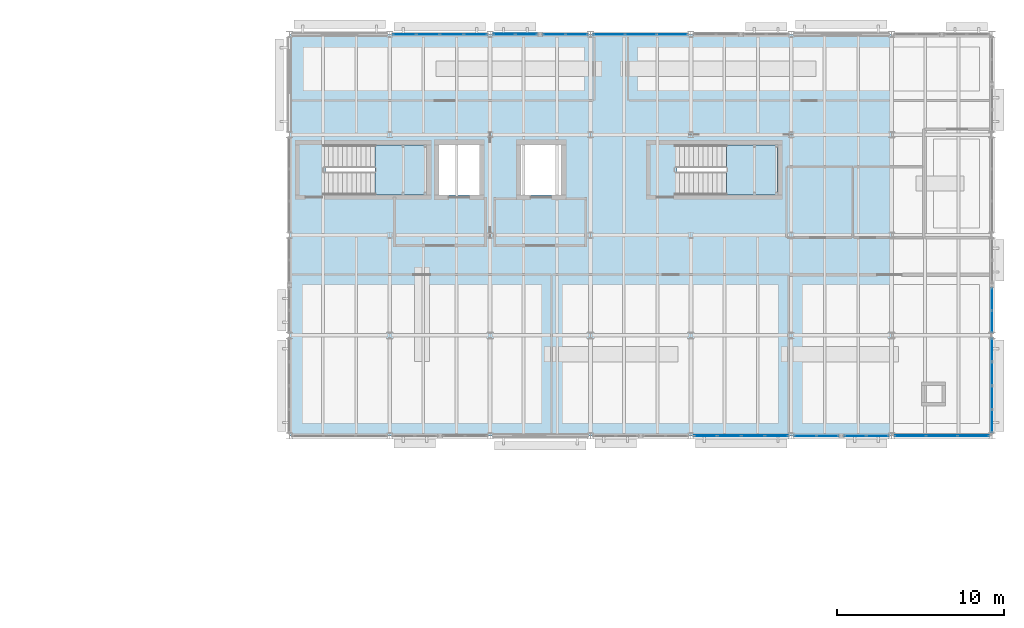
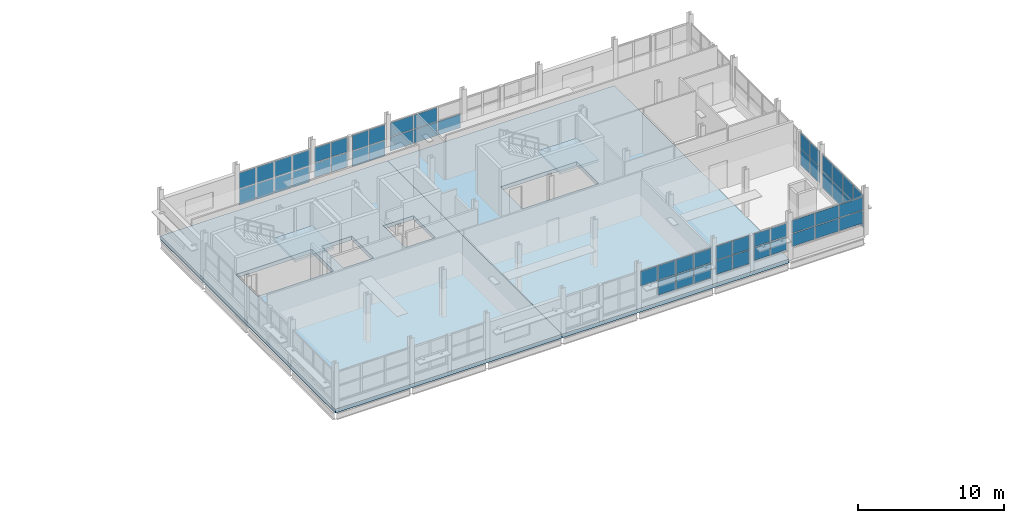
# One storey, part 50 of 92: 54 plates, 4 slabs, 12 elements without a shape of their own.
"""IFC4 building model written with IfcOpenShell, lengths in metres."""

from ifc_helpers import new_model, si_unit, direction, frame, origin, origin_2d, place, context, subcontext, project, spatial, polyline, rectangle, outline, extrude, material, layer, layer_set, type_object, element, aggregate, save


model = new_model("IFC4")

# Units and contexts
model_context = context("Model", 3, precision=1e-05, world=origin(), true_north=direction((0.0, 1.0)))
body_context = subcontext(model_context, "Body", "Model", "MODEL_VIEW")
ifc_project = project(units=[si_unit("LENGTHUNIT", "METRE"), si_unit("AREAUNIT", "SQUARE_METRE"), si_unit("VOLUMEUNIT", "CUBIC_METRE"), si_unit("PLANEANGLEUNIT", "RADIAN"), si_unit("MASSUNIT", "GRAM", prefix="KILO")], contexts=[model_context])

# Site, building, storey
site_placement = place(None, origin())
site = spatial("IfcSite", under=ifc_project, at=site_placement, CompositionType="ELEMENT")
building_placement = place(site_placement, origin())
building = spatial("IfcBuilding", under=site, at=building_placement, Name="Siltcreek Boulevard Central Fire Station", CompositionType="ELEMENT")
storey_placement = place(building_placement, frame((0.0, 0.0, 6.0)))
storey = spatial("IfcBuildingStorey", under=building, at=storey_placement, Name="L02", CompositionType="ELEMENT", Elevation=6.0)

# Curtain wall, plates
ifc_material_1 = material(Name="Anodized aluminum and low-E insulated glazing", Category="aluminium")
curtain_wall_type_1 = type_object("IfcCurtainWallType", Name="CW_SYS_10", PredefinedType="USERDEFINED", material=ifc_material_1)
curtain_wall_1_placement = place(storey_placement, origin())
curtain_wall_1 = element("IfcCurtainWall", 1, at=curtain_wall_1_placement, inside=storey, type_object=curtain_wall_type_1, Name="L02 V5 unitised curtain wall CW-129", ObjectType="CURTAIN WALL", PredefinedType="USERDEFINED")
ifc_material_2 = material(Name="Low-E double insulated glass unit", Category="glass")
ifc_layer_1 = layer(ifc_material_2, 0.028076171875, Name="Low-E double insulated glass unit")
ifc_layer_set_1 = layer_set([ifc_layer_1], Name="Low-E double insulated glass unit")
plate_type_1 = type_object("IfcPlateType", Name="CWP_GLZ_1", PredefinedType="CURTAIN_PANEL", material=ifc_layer_set_1)
plate_1_placement = place(storey_placement, frame((155.038818359375, 88.199951171875, 0.739990234375), z_axis=(0.0, 0.0, 1.0), x_axis=(1.0, 0.0, 0.0)))
plate_1 = element("IfcPlate", 2, at=plate_1_placement, type_object=plate_type_1, Name="CW-129 panel 1.1", PredefinedType="CURTAIN_PANEL", context=body_context, shape_type="SweptSolid", body=[
    extrude(rectangle(XDim=1.267578125, YDim=0.028076171875, at=origin_2d()), origin(), (0.0, 0.0, 1.0), 1.146484375),
])
plate_2_placement = place(storey_placement, frame((155.038818359375, 88.199951171875, 1.946533203125), z_axis=(0.0, 0.0, 1.0), x_axis=(1.0, 0.0, 0.0)))
plate_2 = element("IfcPlate", 3, at=plate_2_placement, type_object=plate_type_1, Name="CW-129 panel 1.2", PredefinedType="CURTAIN_PANEL", context=body_context, shape_type="SweptSolid", body=[
    extrude(rectangle(XDim=1.267578125, YDim=0.028076171875, at=origin_2d()), origin(), (0.0, 0.0, 1.0), 1.146484375),
])
plate_3_placement = place(storey_placement, frame((156.3662109375, 88.199951171875, 0.739990234375), z_axis=(0.0, 0.0, 1.0), x_axis=(1.0, 0.0, 0.0)))
plate_3 = element("IfcPlate", 4, at=plate_3_placement, type_object=plate_type_1, Name="CW-129 panel 2.1", PredefinedType="CURTAIN_PANEL", context=body_context, shape_type="SweptSolid", body=[
    extrude(rectangle(XDim=1.267578125, YDim=0.028076171875, at=origin_2d()), origin(), (0.0, 0.0, 1.0), 1.146484375),
])
plate_4_placement = place(storey_placement, frame((156.3662109375, 88.199951171875, 1.946533203125), z_axis=(0.0, 0.0, 1.0), x_axis=(1.0, 0.0, 0.0)))
plate_4 = element("IfcPlate", 5, at=plate_4_placement, type_object=plate_type_1, Name="CW-129 panel 2.2", PredefinedType="CURTAIN_PANEL", context=body_context, shape_type="SweptSolid", body=[
    extrude(rectangle(XDim=1.267578125, YDim=0.028076171875, at=origin_2d()), origin(), (0.0, 0.0, 1.0), 1.146484375),
])
aggregate(curtain_wall_1, [plate_1, plate_2, plate_3, plate_4])

curtain_wall_type_2 = type_object("IfcCurtainWallType", Name="CW_SYS_13", PredefinedType="USERDEFINED", material=ifc_material_1)
curtain_wall_2_placement = place(storey_placement, origin())
curtain_wall_2 = element("IfcCurtainWall", 6, at=curtain_wall_2_placement, inside=storey, type_object=curtain_wall_type_2, Name="L02 V5 unitised curtain wall CW-132", ObjectType="CURTAIN WALL", PredefinedType="USERDEFINED")
plate_5_placement = place(storey_placement, frame((135.324951171875, 112.199951171875, 0.384765625), z_axis=(0.0, 0.0, 1.0), x_axis=(-1.0, 0.0, 0.0)))
plate_5 = element("IfcPlate", 7, at=plate_5_placement, type_object=plate_type_1, Name="CW-132 panel 1.1", PredefinedType="CURTAIN_PANEL", context=body_context, shape_type="SweptSolid", body=[
    extrude(rectangle(XDim=1.330078125, YDim=0.028076171875, at=origin_2d()), origin(), (0.0, 0.0, 1.0), 1.319091796875),
])
plate_6_placement = place(storey_placement, frame((135.324951171875, 112.199951171875, 1.76904296875), z_axis=(0.0, 0.0, 1.0), x_axis=(-1.0, 0.0, 0.0)))
plate_6 = element("IfcPlate", 8, at=plate_6_placement, type_object=plate_type_1, Name="CW-132 panel 1.2", PredefinedType="CURTAIN_PANEL", context=body_context, shape_type="SweptSolid", body=[
    extrude(rectangle(XDim=1.330078125, YDim=0.028076171875, at=origin_2d()), origin(), (0.0, 0.0, 1.0), 1.319091796875),
])
plate_7_placement = place(storey_placement, frame((133.913818359375, 112.199951171875, 0.384765625), z_axis=(0.0, 0.0, 1.0), x_axis=(-1.0, 0.0, 0.0)))
plate_7 = element("IfcPlate", 9, at=plate_7_placement, type_object=plate_type_1, Name="CW-132 panel 2.1", PredefinedType="CURTAIN_PANEL", context=body_context, shape_type="SweptSolid", body=[
    extrude(rectangle(XDim=1.362548828125, YDim=0.028076171875, at=origin_2d()), origin(), (0.0, 0.0, 1.0), 1.319091796875),
])
plate_8_placement = place(storey_placement, frame((133.913818359375, 112.199951171875, 1.76904296875), z_axis=(0.0, 0.0, 1.0), x_axis=(-1.0, 0.0, 0.0)))
plate_8 = element("IfcPlate", 10, at=plate_8_placement, type_object=plate_type_1, Name="CW-132 panel 2.2", PredefinedType="CURTAIN_PANEL", context=body_context, shape_type="SweptSolid", body=[
    extrude(rectangle(XDim=1.362548828125, YDim=0.028076171875, at=origin_2d()), origin(), (0.0, 0.0, 1.0), 1.319091796875),
])
plate_9_placement = place(storey_placement, frame((132.486328125, 112.199951171875, 0.384765625), z_axis=(0.0, 0.0, 1.0), x_axis=(-1.0, 0.0, 0.0)))
plate_9 = element("IfcPlate", 11, at=plate_9_placement, type_object=plate_type_1, Name="CW-132 panel 3.1", PredefinedType="CURTAIN_PANEL", context=body_context, shape_type="SweptSolid", body=[
    extrude(rectangle(XDim=1.362548828125, YDim=0.028076171875, at=origin_2d()), origin(), (0.0, 0.0, 1.0), 1.319091796875),
])
plate_10_placement = place(storey_placement, frame((132.486328125, 112.199951171875, 1.76904296875), z_axis=(0.0, 0.0, 1.0), x_axis=(-1.0, 0.0, 0.0)))
plate_10 = element("IfcPlate", 12, at=plate_10_placement, type_object=plate_type_1, Name="CW-132 panel 3.2", PredefinedType="CURTAIN_PANEL", context=body_context, shape_type="SweptSolid", body=[
    extrude(rectangle(XDim=1.362548828125, YDim=0.028076171875, at=origin_2d()), origin(), (0.0, 0.0, 1.0), 1.319091796875),
])
plate_11_placement = place(storey_placement, frame((131.074951171875, 112.199951171875, 0.384765625), z_axis=(0.0, 0.0, 1.0), x_axis=(-1.0, 0.0, 0.0)))
plate_11 = element("IfcPlate", 13, at=plate_11_placement, type_object=plate_type_1, Name="CW-132 panel 4.1", PredefinedType="CURTAIN_PANEL", context=body_context, shape_type="SweptSolid", body=[
    extrude(rectangle(XDim=1.330078125, YDim=0.028076171875, at=origin_2d()), origin(), (0.0, 0.0, 1.0), 1.319091796875),
])
plate_12_placement = place(storey_placement, frame((131.074951171875, 112.199951171875, 1.76904296875), z_axis=(0.0, 0.0, 1.0), x_axis=(-1.0, 0.0, 0.0)))
plate_12 = element("IfcPlate", 14, at=plate_12_placement, type_object=plate_type_1, Name="CW-132 panel 4.2", PredefinedType="CURTAIN_PANEL", context=body_context, shape_type="SweptSolid", body=[
    extrude(rectangle(XDim=1.330078125, YDim=0.028076171875, at=origin_2d()), origin(), (0.0, 0.0, 1.0), 1.319091796875),
])
aggregate(curtain_wall_2, [plate_5, plate_6, plate_7, plate_8, plate_9, plate_10, plate_11, plate_12])

curtain_wall_type_3 = type_object("IfcCurtainWallType", Name="CW_SYS_16", PredefinedType="USERDEFINED", material=ifc_material_1)
curtain_wall_3_placement = place(storey_placement, origin())
curtain_wall_3 = element("IfcCurtainWall", 15, at=curtain_wall_3_placement, inside=storey, type_object=curtain_wall_type_3, Name="L02 V5 unitised curtain wall CW-135", ObjectType="CURTAIN WALL", PredefinedType="USERDEFINED")
plate_13_placement = place(storey_placement, frame((147.08837890625, 112.199951171875, 0.739990234375), z_axis=(0.0, 0.0, 1.0), x_axis=(-1.0, 0.0, 0.0)))
plate_13 = element("IfcPlate", 16, at=plate_13_placement, type_object=plate_type_1, Name="CW-135 panel 1.1", PredefinedType="CURTAIN_PANEL", context=body_context, shape_type="SweptSolid", body=[
    extrude(rectangle(XDim=1.813232421875, YDim=0.028076171875, at=origin_2d()), origin(), (0.0, 0.0, 1.0), 1.146484375),
])
plate_14_placement = place(storey_placement, frame((145.199951171875, 112.199951171875, 0.739990234375), z_axis=(0.0, 0.0, 1.0), x_axis=(-1.0, 0.0, 0.0)))
plate_14 = element("IfcPlate", 17, at=plate_14_placement, type_object=plate_type_1, Name="CW-135 panel 2.1", PredefinedType="CURTAIN_PANEL", context=body_context, shape_type="SweptSolid", body=[
    extrude(rectangle(XDim=1.84326171875, YDim=0.028076171875, at=origin_2d()), origin(), (0.0, 0.0, 1.0), 1.146484375),
])
plate_15_placement = place(storey_placement, frame((145.199951171875, 112.199951171875, 1.946533203125), z_axis=(0.0, 0.0, 1.0), x_axis=(-1.0, 0.0, 0.0)))
plate_15 = element("IfcPlate", 18, at=plate_15_placement, type_object=plate_type_1, Name="CW-135 panel 2.2", PredefinedType="CURTAIN_PANEL", context=body_context, shape_type="SweptSolid", body=[
    extrude(rectangle(XDim=1.84326171875, YDim=0.028076171875, at=origin_2d()), origin(), (0.0, 0.0, 1.0), 1.146484375),
])
plate_16_placement = place(storey_placement, frame((143.311767578125, 112.199951171875, 0.739990234375), z_axis=(0.0, 0.0, 1.0), x_axis=(-1.0, 0.0, 0.0)))
plate_16 = element("IfcPlate", 19, at=plate_16_placement, type_object=plate_type_1, Name="CW-135 panel 3.1", PredefinedType="CURTAIN_PANEL", context=body_context, shape_type="SweptSolid", body=[
    extrude(rectangle(XDim=1.813232421875, YDim=0.028076171875, at=origin_2d()), origin(), (0.0, 0.0, 1.0), 1.146484375),
])
plate_17_placement = place(storey_placement, frame((143.311767578125, 112.199951171875, 1.946533203125), z_axis=(0.0, 0.0, 1.0), x_axis=(-1.0, 0.0, 0.0)))
plate_17 = element("IfcPlate", 20, at=plate_17_placement, type_object=plate_type_1, Name="CW-135 panel 3.2", PredefinedType="CURTAIN_PANEL", context=body_context, shape_type="SweptSolid", body=[
    extrude(rectangle(XDim=1.813232421875, YDim=0.028076171875, at=origin_2d()), origin(), (0.0, 0.0, 1.0), 1.146484375),
])
aggregate(curtain_wall_3, [plate_13, plate_14, plate_15, plate_16, plate_17])

curtain_wall_type_4 = type_object("IfcCurtainWallType", Name="CW_SYS_25", PredefinedType="USERDEFINED", material=ifc_material_1)
curtain_wall_4_placement = place(storey_placement, origin())
curtain_wall_4 = element("IfcCurtainWall", 21, at=curtain_wall_4_placement, inside=storey, type_object=curtain_wall_type_4, Name="L02 V5 unitised curtain wall CW-144", ObjectType="CURTAIN WALL", PredefinedType="USERDEFINED")
plate_18_placement = place(storey_placement, frame((166.199951171875, 89.074951171875, 0.385009765625), z_axis=(0.0, 0.0, 1.0), x_axis=(0.0, 1.0, 0.0)))
plate_18 = element("IfcPlate", 22, at=plate_18_placement, type_object=plate_type_1, Name="CW-144 panel 1.1", PredefinedType="CURTAIN_PANEL", context=body_context, shape_type="SweptSolid", body=[
    extrude(rectangle(XDim=1.330078125, YDim=0.028076171875, at=origin_2d()), origin(), (0.0, 0.0, 1.0), 1.35595703125),
])
plate_19_placement = place(storey_placement, frame((166.199951171875, 89.074951171875, 1.805908203125), z_axis=(0.0, 0.0, 1.0), x_axis=(0.0, 1.0, 0.0)))
plate_19 = element("IfcPlate", 23, at=plate_19_placement, type_object=plate_type_1, Name="CW-144 panel 1.2", PredefinedType="CURTAIN_PANEL", context=body_context, shape_type="SweptSolid", body=[
    extrude(rectangle(XDim=1.330078125, YDim=0.028076171875, at=origin_2d()), origin(), (0.0, 0.0, 1.0), 1.35595703125),
])
plate_20_placement = place(storey_placement, frame((166.199951171875, 90.486328125, 0.385009765625), z_axis=(0.0, 0.0, 1.0), x_axis=(0.0, 1.0, 0.0)))
plate_20 = element("IfcPlate", 24, at=plate_20_placement, type_object=plate_type_1, Name="CW-144 panel 2.1", PredefinedType="CURTAIN_PANEL", context=body_context, shape_type="SweptSolid", body=[
    extrude(rectangle(XDim=1.362548828125, YDim=0.028076171875, at=origin_2d()), origin(), (0.0, 0.0, 1.0), 1.35595703125),
])
plate_21_placement = place(storey_placement, frame((166.199951171875, 90.486328125, 1.805908203125), z_axis=(0.0, 0.0, 1.0), x_axis=(0.0, 1.0, 0.0)))
plate_21 = element("IfcPlate", 25, at=plate_21_placement, type_object=plate_type_1, Name="CW-144 panel 2.2", PredefinedType="CURTAIN_PANEL", context=body_context, shape_type="SweptSolid", body=[
    extrude(rectangle(XDim=1.362548828125, YDim=0.028076171875, at=origin_2d()), origin(), (0.0, 0.0, 1.0), 1.35595703125),
])
plate_22_placement = place(storey_placement, frame((166.199951171875, 91.913818359375, 0.385009765625), z_axis=(0.0, 0.0, 1.0), x_axis=(0.0, 1.0, 0.0)))
plate_22 = element("IfcPlate", 26, at=plate_22_placement, type_object=plate_type_1, Name="CW-144 panel 3.1", PredefinedType="CURTAIN_PANEL", context=body_context, shape_type="SweptSolid", body=[
    extrude(rectangle(XDim=1.362548828125, YDim=0.028076171875, at=origin_2d()), origin(), (0.0, 0.0, 1.0), 1.35595703125),
])
plate_23_placement = place(storey_placement, frame((166.199951171875, 91.913818359375, 1.805908203125), z_axis=(0.0, 0.0, 1.0), x_axis=(0.0, 1.0, 0.0)))
plate_23 = element("IfcPlate", 27, at=plate_23_placement, type_object=plate_type_1, Name="CW-144 panel 3.2", PredefinedType="CURTAIN_PANEL", context=body_context, shape_type="SweptSolid", body=[
    extrude(rectangle(XDim=1.362548828125, YDim=0.028076171875, at=origin_2d()), origin(), (0.0, 0.0, 1.0), 1.35595703125),
])
plate_24_placement = place(storey_placement, frame((166.199951171875, 93.324951171875, 0.385009765625), z_axis=(0.0, 0.0, 1.0), x_axis=(0.0, 1.0, 0.0)))
plate_24 = element("IfcPlate", 28, at=plate_24_placement, type_object=plate_type_1, Name="CW-144 panel 4.1", PredefinedType="CURTAIN_PANEL", context=body_context, shape_type="SweptSolid", body=[
    extrude(rectangle(XDim=1.330078125, YDim=0.028076171875, at=origin_2d()), origin(), (0.0, 0.0, 1.0), 1.35595703125),
])
plate_25_placement = place(storey_placement, frame((166.199951171875, 93.324951171875, 1.805908203125), z_axis=(0.0, 0.0, 1.0), x_axis=(0.0, 1.0, 0.0)))
plate_25 = element("IfcPlate", 29, at=plate_25_placement, type_object=plate_type_1, Name="CW-144 panel 4.2", PredefinedType="CURTAIN_PANEL", context=body_context, shape_type="SweptSolid", body=[
    extrude(rectangle(XDim=1.330078125, YDim=0.028076171875, at=origin_2d()), origin(), (0.0, 0.0, 1.0), 1.35595703125),
])
aggregate(curtain_wall_4, [plate_18, plate_19, plate_20, plate_21, plate_22, plate_23, plate_24, plate_25])

curtain_wall_type_5 = type_object("IfcCurtainWallType", Name="CW_SYS_11", PredefinedType="USERDEFINED", material=ifc_material_1)
curtain_wall_5_placement = place(storey_placement, origin())
curtain_wall_5 = element("IfcCurtainWall", 30, at=curtain_wall_5_placement, inside=storey, type_object=curtain_wall_type_5, Name="L02 V5 unitised curtain wall CW-130", ObjectType="CURTAIN WALL", PredefinedType="USERDEFINED")
ifc_layer_2 = layer(ifc_material_2, 0.0380859375, Name="Low-E double insulated glass unit")
ifc_layer_set_2 = layer_set([ifc_layer_2], Name="Low-E double insulated glass unit")
plate_type_2 = type_object("IfcPlateType", Name="CWP_GLZ_2", PredefinedType="CURTAIN_PANEL", material=ifc_layer_set_2)
plate_26_placement = place(storey_placement, frame((158.034912109375, 88.199951171875, 0.864990234375), z_axis=(0.0, 0.0, 1.0), x_axis=(1.0, 0.0, 0.0)))
plate_26 = element("IfcPlate", 31, at=plate_26_placement, type_object=plate_type_2, Name="CW-130 panel 1.1", PredefinedType="CURTAIN_PANEL", context=body_context, shape_type="SweptSolid", body=[
    extrude(rectangle(XDim=1.260009765625, YDim=0.0380859375, at=origin_2d()), origin(), (0.0, 0.0, 1.0), 1.0791015625),
])
plate_27_placement = place(storey_placement, frame((158.034912109375, 88.199951171875, 2.009033203125), z_axis=(0.0, 0.0, 1.0), x_axis=(1.0, 0.0, 0.0)))
plate_27 = element("IfcPlate", 32, at=plate_27_placement, type_object=plate_type_2, Name="CW-130 panel 1.2", PredefinedType="CURTAIN_PANEL", context=body_context, shape_type="SweptSolid", body=[
    extrude(rectangle(XDim=1.260009765625, YDim=0.0380859375, at=origin_2d()), origin(), (0.0, 0.0, 1.0), 1.0791015625),
])
plate_28_placement = place(storey_placement, frame((159.360107421875, 88.199951171875, 0.864990234375), z_axis=(0.0, 0.0, 1.0), x_axis=(1.0, 0.0, 0.0)))
plate_28 = element("IfcPlate", 33, at=plate_28_placement, type_object=plate_type_2, Name="CW-130 panel 2.1", PredefinedType="CURTAIN_PANEL", context=body_context, shape_type="SweptSolid", body=[
    extrude(rectangle(XDim=1.260009765625, YDim=0.0380859375, at=origin_2d()), origin(), (0.0, 0.0, 1.0), 1.0791015625),
])
plate_29_placement = place(storey_placement, frame((159.360107421875, 88.199951171875, 2.009033203125), z_axis=(0.0, 0.0, 1.0), x_axis=(1.0, 0.0, 0.0)))
plate_29 = element("IfcPlate", 34, at=plate_29_placement, type_object=plate_type_2, Name="CW-130 panel 2.2", PredefinedType="CURTAIN_PANEL", context=body_context, shape_type="SweptSolid", body=[
    extrude(rectangle(XDim=1.260009765625, YDim=0.0380859375, at=origin_2d()), origin(), (0.0, 0.0, 1.0), 1.0791015625),
])
aggregate(curtain_wall_5, [plate_26, plate_27, plate_28, plate_29])

curtain_wall_type_6 = type_object("IfcCurtainWallType", Name="CW_SYS_14", PredefinedType="USERDEFINED", material=ifc_material_1)
curtain_wall_6_placement = place(storey_placement, origin())
curtain_wall_6 = element("IfcCurtainWall", 35, at=curtain_wall_6_placement, inside=storey, type_object=curtain_wall_type_6, Name="L02 V5 unitised curtain wall CW-133", ObjectType="CURTAIN WALL", PredefinedType="USERDEFINED")
plate_30_placement = place(storey_placement, frame((141.361328125, 112.199951171875, 0.5), z_axis=(0.0, 0.0, 1.0), x_axis=(-1.0, 0.0, 0.0)))
plate_30 = element("IfcPlate", 36, at=plate_30_placement, type_object=plate_type_2, Name="CW-133 panel 1.1", PredefinedType="CURTAIN_PANEL", context=body_context, shape_type="SweptSolid", body=[
    extrude(rectangle(XDim=1.267578125, YDim=0.0380859375, at=origin_2d()), origin(), (0.0, 0.0, 1.0), 1.2666015625),
])
plate_31_placement = place(storey_placement, frame((141.361328125, 112.199951171875, 1.826416015625), z_axis=(0.0, 0.0, 1.0), x_axis=(-1.0, 0.0, 0.0)))
plate_31 = element("IfcPlate", 37, at=plate_31_placement, type_object=plate_type_2, Name="CW-133 panel 1.2", PredefinedType="CURTAIN_PANEL", context=body_context, shape_type="SweptSolid", body=[
    extrude(rectangle(XDim=1.267578125, YDim=0.0380859375, at=origin_2d()), origin(), (0.0, 0.0, 1.0), 1.2666015625),
])
plate_32_placement = place(storey_placement, frame((140.03369140625, 112.199951171875, 0.5), z_axis=(0.0, 0.0, 1.0), x_axis=(-1.0, 0.0, 0.0)))
plate_32 = element("IfcPlate", 38, at=plate_32_placement, type_object=plate_type_2, Name="CW-133 panel 2.1", PredefinedType="CURTAIN_PANEL", context=body_context, shape_type="SweptSolid", body=[
    extrude(rectangle(XDim=1.267578125, YDim=0.0380859375, at=origin_2d()), origin(), (0.0, 0.0, 1.0), 1.2666015625),
])
plate_33_placement = place(storey_placement, frame((140.03369140625, 112.199951171875, 1.826416015625), z_axis=(0.0, 0.0, 1.0), x_axis=(-1.0, 0.0, 0.0)))
plate_33 = element("IfcPlate", 39, at=plate_33_placement, type_object=plate_type_2, Name="CW-133 panel 2.2", PredefinedType="CURTAIN_PANEL", context=body_context, shape_type="SweptSolid", body=[
    extrude(rectangle(XDim=1.267578125, YDim=0.0380859375, at=origin_2d()), origin(), (0.0, 0.0, 1.0), 1.2666015625),
])
aggregate(curtain_wall_6, [plate_30, plate_31, plate_32, plate_33])

curtain_wall_type_7 = type_object("IfcCurtainWallType", Name="CW_SYS_26", PredefinedType="USERDEFINED", material=ifc_material_1)
curtain_wall_7_placement = place(storey_placement, origin())
curtain_wall_7 = element("IfcCurtainWall", 40, at=curtain_wall_7_placement, inside=storey, type_object=curtain_wall_type_7, Name="L02 V5 unitised curtain wall CW-145", ObjectType="CURTAIN WALL", PredefinedType="USERDEFINED")
plate_34_placement = place(storey_placement, frame((166.199951171875, 95.038818359375, 0.5), z_axis=(0.0, 0.0, 1.0), x_axis=(0.0, 1.0, 0.0)))
plate_34 = element("IfcPlate", 41, at=plate_34_placement, type_object=plate_type_2, Name="CW-145 panel 1.1", PredefinedType="CURTAIN_PANEL", context=body_context, shape_type="SweptSolid", body=[
    extrude(rectangle(XDim=1.267578125, YDim=0.0380859375, at=origin_2d()), origin(), (0.0, 0.0, 1.0), 1.303466796875),
])
plate_35_placement = place(storey_placement, frame((166.199951171875, 95.038818359375, 1.86328125), z_axis=(0.0, 0.0, 1.0), x_axis=(0.0, 1.0, 0.0)))
plate_35 = element("IfcPlate", 42, at=plate_35_placement, type_object=plate_type_2, Name="CW-145 panel 1.2", PredefinedType="CURTAIN_PANEL", context=body_context, shape_type="SweptSolid", body=[
    extrude(rectangle(XDim=1.267578125, YDim=0.0380859375, at=origin_2d()), origin(), (0.0, 0.0, 1.0), 1.303466796875),
])
plate_36_placement = place(storey_placement, frame((166.199951171875, 96.3662109375, 0.5), z_axis=(0.0, 0.0, 1.0), x_axis=(0.0, 1.0, 0.0)))
plate_36 = element("IfcPlate", 43, at=plate_36_placement, type_object=plate_type_2, Name="CW-145 panel 2.1", PredefinedType="CURTAIN_PANEL", context=body_context, shape_type="SweptSolid", body=[
    extrude(rectangle(XDim=1.267578125, YDim=0.0380859375, at=origin_2d()), origin(), (0.0, 0.0, 1.0), 1.303466796875),
])
plate_37_placement = place(storey_placement, frame((166.199951171875, 96.3662109375, 1.86328125), z_axis=(0.0, 0.0, 1.0), x_axis=(0.0, 1.0, 0.0)))
plate_37 = element("IfcPlate", 44, at=plate_37_placement, type_object=plate_type_2, Name="CW-145 panel 2.2", PredefinedType="CURTAIN_PANEL", context=body_context, shape_type="SweptSolid", body=[
    extrude(rectangle(XDim=1.267578125, YDim=0.0380859375, at=origin_2d()), origin(), (0.0, 0.0, 1.0), 1.303466796875),
])
aggregate(curtain_wall_7, [plate_34, plate_35, plate_36, plate_37])

curtain_wall_type_8 = type_object("IfcCurtainWallType", Name="CW_SYS_09", PredefinedType="USERDEFINED", material=ifc_material_1)
curtain_wall_8_placement = place(storey_placement, origin())
curtain_wall_8 = element("IfcCurtainWall", 45, at=curtain_wall_8_placement, inside=storey, type_object=curtain_wall_type_8, Name="L02 V5 unitised curtain wall CW-128", ObjectType="CURTAIN WALL", PredefinedType="USERDEFINED")
ifc_layer_3 = layer(ifc_material_2, 0.048095703125, Name="Low-E double insulated glass unit")
ifc_layer_set_3 = layer_set([ifc_layer_3], Name="Low-E double insulated glass unit")
plate_type_3 = type_object("IfcPlateType", Name="CWP_GLZ_3", PredefinedType="CURTAIN_PANEL", material=ifc_layer_set_3)
plate_38_placement = place(storey_placement, frame((149.074951171875, 88.199951171875, 1.88916015625), z_axis=(0.0, 0.0, 1.0), x_axis=(1.0, 0.0, 0.0)))
plate_38 = element("IfcPlate", 46, at=plate_38_placement, type_object=plate_type_3, Name="CW-128 panel 1.2", PredefinedType="CURTAIN_PANEL", context=body_context, shape_type="SweptSolid", body=[
    extrude(rectangle(XDim=1.330078125, YDim=0.048095703125, at=origin_2d()), origin(), (0.0, 0.0, 1.0), 1.198974609375),
])
plate_39_placement = place(storey_placement, frame((150.486328125, 88.199951171875, 0.625), z_axis=(0.0, 0.0, 1.0), x_axis=(1.0, 0.0, 0.0)))
plate_39 = element("IfcPlate", 47, at=plate_39_placement, type_object=plate_type_3, Name="CW-128 panel 2.1", PredefinedType="CURTAIN_PANEL", context=body_context, shape_type="SweptSolid", body=[
    extrude(rectangle(XDim=1.362548828125, YDim=0.048095703125, at=origin_2d()), origin(), (0.0, 0.0, 1.0), 1.198974609375),
])
plate_40_placement = place(storey_placement, frame((150.486328125, 88.199951171875, 1.88916015625), z_axis=(0.0, 0.0, 1.0), x_axis=(1.0, 0.0, 0.0)))
plate_40 = element("IfcPlate", 48, at=plate_40_placement, type_object=plate_type_3, Name="CW-128 panel 2.2", PredefinedType="CURTAIN_PANEL", context=body_context, shape_type="SweptSolid", body=[
    extrude(rectangle(XDim=1.362548828125, YDim=0.048095703125, at=origin_2d()), origin(), (0.0, 0.0, 1.0), 1.198974609375),
])
plate_41_placement = place(storey_placement, frame((151.913818359375, 88.199951171875, 0.625), z_axis=(0.0, 0.0, 1.0), x_axis=(1.0, 0.0, 0.0)))
plate_41 = element("IfcPlate", 49, at=plate_41_placement, type_object=plate_type_3, Name="CW-128 panel 3.1", PredefinedType="CURTAIN_PANEL", context=body_context, shape_type="SweptSolid", body=[
    extrude(rectangle(XDim=1.362548828125, YDim=0.048095703125, at=origin_2d()), origin(), (0.0, 0.0, 1.0), 1.198974609375),
])
plate_42_placement = place(storey_placement, frame((151.913818359375, 88.199951171875, 1.88916015625), z_axis=(0.0, 0.0, 1.0), x_axis=(1.0, 0.0, 0.0)))
plate_42 = element("IfcPlate", 50, at=plate_42_placement, type_object=plate_type_3, Name="CW-128 panel 3.2", PredefinedType="CURTAIN_PANEL", context=body_context, shape_type="SweptSolid", body=[
    extrude(rectangle(XDim=1.362548828125, YDim=0.048095703125, at=origin_2d()), origin(), (0.0, 0.0, 1.0), 1.198974609375),
])
plate_43_placement = place(storey_placement, frame((153.324951171875, 88.199951171875, 0.625), z_axis=(0.0, 0.0, 1.0), x_axis=(1.0, 0.0, 0.0)))
plate_43 = element("IfcPlate", 51, at=plate_43_placement, type_object=plate_type_3, Name="CW-128 panel 4.1", PredefinedType="CURTAIN_PANEL", context=body_context, shape_type="SweptSolid", body=[
    extrude(rectangle(XDim=1.330078125, YDim=0.048095703125, at=origin_2d()), origin(), (0.0, 0.0, 1.0), 1.198974609375),
])
plate_44_placement = place(storey_placement, frame((153.324951171875, 88.199951171875, 1.88916015625), z_axis=(0.0, 0.0, 1.0), x_axis=(1.0, 0.0, 0.0)))
plate_44 = element("IfcPlate", 52, at=plate_44_placement, type_object=plate_type_3, Name="CW-128 panel 4.2", PredefinedType="CURTAIN_PANEL", context=body_context, shape_type="SweptSolid", body=[
    extrude(rectangle(XDim=1.330078125, YDim=0.048095703125, at=origin_2d()), origin(), (0.0, 0.0, 1.0), 1.198974609375),
])
aggregate(curtain_wall_8, [plate_38, plate_39, plate_40, plate_41, plate_42, plate_43, plate_44])

curtain_wall_type_9 = type_object("IfcCurtainWallType", Name="CW_SYS_12", PredefinedType="USERDEFINED", material=ifc_material_1)
curtain_wall_9_placement = place(storey_placement, origin())
curtain_wall_9 = element("IfcCurtainWall", 53, at=curtain_wall_9_placement, inside=storey, type_object=curtain_wall_type_9, Name="L02 V5 unitised curtain wall CW-131", ObjectType="CURTAIN WALL", PredefinedType="USERDEFINED")
plate_45_placement = place(storey_placement, frame((161.311767578125, 88.199951171875, 0.97998046875), z_axis=(0.0, 0.0, 1.0), x_axis=(1.0, 0.0, 0.0)))
plate_45 = element("IfcPlate", 54, at=plate_45_placement, type_object=plate_type_3, Name="CW-131 panel 1.1", PredefinedType="CURTAIN_PANEL", context=body_context, shape_type="SweptSolid", body=[
    extrude(rectangle(XDim=1.813232421875, YDim=0.048095703125, at=origin_2d()), origin(), (0.0, 0.0, 1.0), 1.0615234375),
])
plate_46_placement = place(storey_placement, frame((161.311767578125, 88.199951171875, 2.1015625), z_axis=(0.0, 0.0, 1.0), x_axis=(1.0, 0.0, 0.0)))
plate_46 = element("IfcPlate", 55, at=plate_46_placement, type_object=plate_type_3, Name="CW-131 panel 1.2", PredefinedType="CURTAIN_PANEL", context=body_context, shape_type="SweptSolid", body=[
    extrude(rectangle(XDim=1.813232421875, YDim=0.048095703125, at=origin_2d()), origin(), (0.0, 0.0, 1.0), 1.0615234375),
])
plate_47_placement = place(storey_placement, frame((163.199951171875, 88.199951171875, 0.97998046875), z_axis=(0.0, 0.0, 1.0), x_axis=(1.0, 0.0, 0.0)))
plate_47 = element("IfcPlate", 56, at=plate_47_placement, type_object=plate_type_3, Name="CW-131 panel 2.1", PredefinedType="CURTAIN_PANEL", context=body_context, shape_type="SweptSolid", body=[
    extrude(rectangle(XDim=1.84326171875, YDim=0.048095703125, at=origin_2d()), origin(), (0.0, 0.0, 1.0), 1.0615234375),
])
plate_48_placement = place(storey_placement, frame((163.199951171875, 88.199951171875, 2.1015625), z_axis=(0.0, 0.0, 1.0), x_axis=(1.0, 0.0, 0.0)))
plate_48 = element("IfcPlate", 57, at=plate_48_placement, type_object=plate_type_3, Name="CW-131 panel 2.2", PredefinedType="CURTAIN_PANEL", context=body_context, shape_type="SweptSolid", body=[
    extrude(rectangle(XDim=1.84326171875, YDim=0.048095703125, at=origin_2d()), origin(), (0.0, 0.0, 1.0), 1.0615234375),
])
plate_49_placement = place(storey_placement, frame((165.08837890625, 88.199951171875, 0.97998046875), z_axis=(0.0, 0.0, 1.0), x_axis=(1.0, 0.0, 0.0)))
plate_49 = element("IfcPlate", 58, at=plate_49_placement, type_object=plate_type_3, Name="CW-131 panel 3.1", PredefinedType="CURTAIN_PANEL", context=body_context, shape_type="SweptSolid", body=[
    extrude(rectangle(XDim=1.813232421875, YDim=0.048095703125, at=origin_2d()), origin(), (0.0, 0.0, 1.0), 1.0615234375),
])
plate_50_placement = place(storey_placement, frame((165.08837890625, 88.199951171875, 2.1015625), z_axis=(0.0, 0.0, 1.0), x_axis=(1.0, 0.0, 0.0)))
plate_50 = element("IfcPlate", 59, at=plate_50_placement, type_object=plate_type_3, Name="CW-131 panel 3.2", PredefinedType="CURTAIN_PANEL", context=body_context, shape_type="SweptSolid", body=[
    extrude(rectangle(XDim=1.813232421875, YDim=0.048095703125, at=origin_2d()), origin(), (0.0, 0.0, 1.0), 1.0615234375),
])
aggregate(curtain_wall_9, [plate_45, plate_46, plate_47, plate_48, plate_49, plate_50])

curtain_wall_type_10 = type_object("IfcCurtainWallType", Name="CW_SYS_15", PredefinedType="USERDEFINED", material=ifc_material_1)
curtain_wall_10_placement = place(storey_placement, origin())
curtain_wall_10 = element("IfcCurtainWall", 60, at=curtain_wall_10_placement, inside=storey, type_object=curtain_wall_type_10, Name="L02 V5 unitised curtain wall CW-134", ObjectType="CURTAIN WALL", PredefinedType="USERDEFINED")
plate_51_placement = place(storey_placement, frame((138.364990234375, 112.199951171875, 0.625), z_axis=(0.0, 0.0, 1.0), x_axis=(-1.0, 0.0, 0.0)))
plate_51 = element("IfcPlate", 61, at=plate_51_placement, type_object=plate_type_3, Name="CW-134 panel 1.1", PredefinedType="CURTAIN_PANEL", context=body_context, shape_type="SweptSolid", body=[
    extrude(rectangle(XDim=1.260009765625, YDim=0.048095703125, at=origin_2d()), origin(), (0.0, 0.0, 1.0), 1.198974609375),
])
plate_52_placement = place(storey_placement, frame((138.364990234375, 112.199951171875, 1.88916015625), z_axis=(0.0, 0.0, 1.0), x_axis=(-1.0, 0.0, 0.0)))
plate_52 = element("IfcPlate", 62, at=plate_52_placement, type_object=plate_type_3, Name="CW-134 panel 1.2", PredefinedType="CURTAIN_PANEL", context=body_context, shape_type="SweptSolid", body=[
    extrude(rectangle(XDim=1.260009765625, YDim=0.048095703125, at=origin_2d()), origin(), (0.0, 0.0, 1.0), 1.198974609375),
])
plate_53_placement = place(storey_placement, frame((137.0400390625, 112.199951171875, 0.625), z_axis=(0.0, 0.0, 1.0), x_axis=(-1.0, 0.0, 0.0)))
plate_53 = element("IfcPlate", 63, at=plate_53_placement, type_object=plate_type_3, Name="CW-134 panel 2.1", PredefinedType="CURTAIN_PANEL", context=body_context, shape_type="SweptSolid", body=[
    extrude(rectangle(XDim=1.260009765625, YDim=0.048095703125, at=origin_2d()), origin(), (0.0, 0.0, 1.0), 1.198974609375),
])
plate_54_placement = place(storey_placement, frame((137.0400390625, 112.199951171875, 1.88916015625), z_axis=(0.0, 0.0, 1.0), x_axis=(-1.0, 0.0, 0.0)))
plate_54 = element("IfcPlate", 64, at=plate_54_placement, type_object=plate_type_3, Name="CW-134 panel 2.2", PredefinedType="CURTAIN_PANEL", context=body_context, shape_type="SweptSolid", body=[
    extrude(rectangle(XDim=1.260009765625, YDim=0.048095703125, at=origin_2d()), origin(), (0.0, 0.0, 1.0), 1.198974609375),
])
aggregate(curtain_wall_10, [plate_51, plate_52, plate_53, plate_54])

# Slabs
ifc_material_3 = material(Name="Concrete C35/45", Category="concrete")
ifc_layer_4 = layer(ifc_material_3, 0.320068359375, Name="Concrete C35/45")
ifc_layer_set_4 = layer_set([ifc_layer_4], Name="Concrete C35/45")
slab_type_1 = type_object("IfcSlabType", Name="SL_FLR320", PredefinedType="FLOOR", material=ifc_layer_set_4)
slab_1_placement = place(storey_placement, frame((0.0, 0.0, -0.320068359375)))
element("IfcSlab", 65, at=slab_1_placement, inside=storey, type_object=slab_type_1, Name="L02 V5 structural floor slab SL-028", PredefinedType="FLOOR", context=body_context, shape_type="SweptSolid", body=[
    extrude(outline(polyline([(124.199951171875, 112.199951171875), (142.199951171875, 112.199951171875), (142.199951171875, 88.199951171875), (124.199951171875, 88.199951171875), (124.199951171875, 112.199951171875)]), holes=[polyline([(126.360107421875, 102.60009765625), (132.39990234375, 102.60009765625), (132.39990234375, 105.60009765625), (126.360107421875, 105.60009765625), (126.360107421875, 102.60009765625)]), polyline([(135.550048828125, 102.60009765625), (135.550048828125, 105.60009765625), (133.14990234375, 105.60009765625), (133.14990234375, 102.60009765625), (135.550048828125, 102.60009765625)]), polyline([(138.050048828125, 102.60009765625), (140.449951171875, 102.60009765625), (140.449951171875, 105.60009765625), (138.050048828125, 105.60009765625), (138.050048828125, 102.60009765625)])]), origin(), (0.0, 0.0, 1.0), 0.320068359375),
])
slab_2_placement = place(storey_placement, frame((0.0, 0.0, -0.320068359375)))
element("IfcSlab", 66, at=slab_2_placement, inside=storey, type_object=slab_type_1, Name="L02 V5 structural floor slab SL-029", PredefinedType="FLOOR", context=body_context, shape_type="SweptSolid", body=[
    extrude(outline(polyline([(142.199951171875, 112.199951171875), (160.199951171875, 112.199951171875), (160.199951171875, 88.199951171875), (142.199951171875, 88.199951171875), (142.199951171875, 112.199951171875)]), holes=[polyline([(147.360107421875, 102.60009765625), (153.39990234375, 102.60009765625), (153.39990234375, 105.60009765625), (147.360107421875, 105.60009765625), (147.360107421875, 102.60009765625)])]), origin(), (0.0, 0.0, 1.0), 0.320068359375),
])

# Stair, slab
ifc_material_4 = material(Name="Precast concrete C40/50", Category="concrete")
stair_type = type_object("IfcStairType", Name="ST_DOG_H40", PredefinedType="HALF_TURN_STAIR", material=ifc_material_4)
stair_1_placement = place(storey_placement, origin())
stair_1 = element("IfcStair", 67, at=stair_1_placement, inside=storey, type_object=stair_type, Name="L02 Enclosed exit stairway ST-V5A", PredefinedType="HALF_TURN_STAIR")
ifc_layer_5 = layer(ifc_material_4, 0.199951171875, Name="Precast concrete C40/50")
ifc_layer_set_5 = layer_set([ifc_layer_5], Name="Precast concrete C40/50")
slab_type_2 = type_object("IfcSlabType", Name="SL_LAND200", PredefinedType="LANDING", material=ifc_layer_set_5)
slab_3_placement = place(storey_placement, frame((0.0, 0.0, 1.800048828125)))
slab_3 = element("IfcSlab", 68, at=slab_3_placement, type_object=slab_type_2, Name="ST-V5A landing 1", PredefinedType="LANDING", context=body_context, shape_type="SweptSolid", body=[
    extrude(outline(polyline([(129.330078125, 102.60009765625), (132.39990234375, 102.60009765625), (132.39990234375, 105.60009765625), (129.330078125, 105.60009765625), (129.330078125, 102.60009765625)])), origin(), (0.0, 0.0, 1.0), 0.199951171875),
])
aggregate(stair_1, [slab_3])

stair_2_placement = place(storey_placement, origin())
stair_2 = element("IfcStair", 69, at=stair_2_placement, inside=storey, type_object=stair_type, Name="L02 Enclosed exit stairway ST-V5B", PredefinedType="HALF_TURN_STAIR")
slab_4_placement = place(storey_placement, frame((0.0, 0.0, 1.800048828125)))
slab_4 = element("IfcSlab", 70, at=slab_4_placement, type_object=slab_type_2, Name="ST-V5B landing 1", PredefinedType="LANDING", context=body_context, shape_type="SweptSolid", body=[
    extrude(outline(polyline([(150.330078125, 102.60009765625), (153.39990234375, 102.60009765625), (153.39990234375, 105.60009765625), (150.330078125, 105.60009765625), (150.330078125, 102.60009765625)])), origin(), (0.0, 0.0, 1.0), 0.199951171875),
])
aggregate(stair_2, [slab_4])

save(model, "model.ifc")
